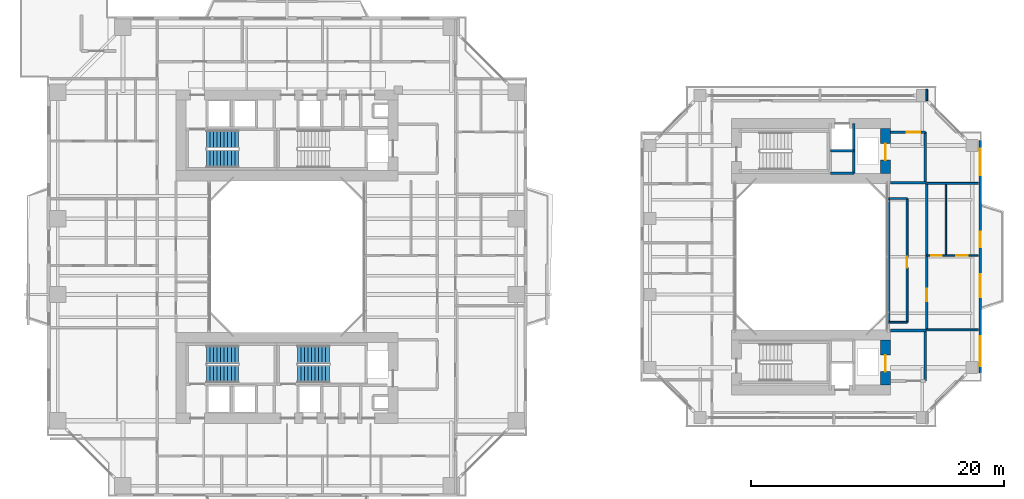
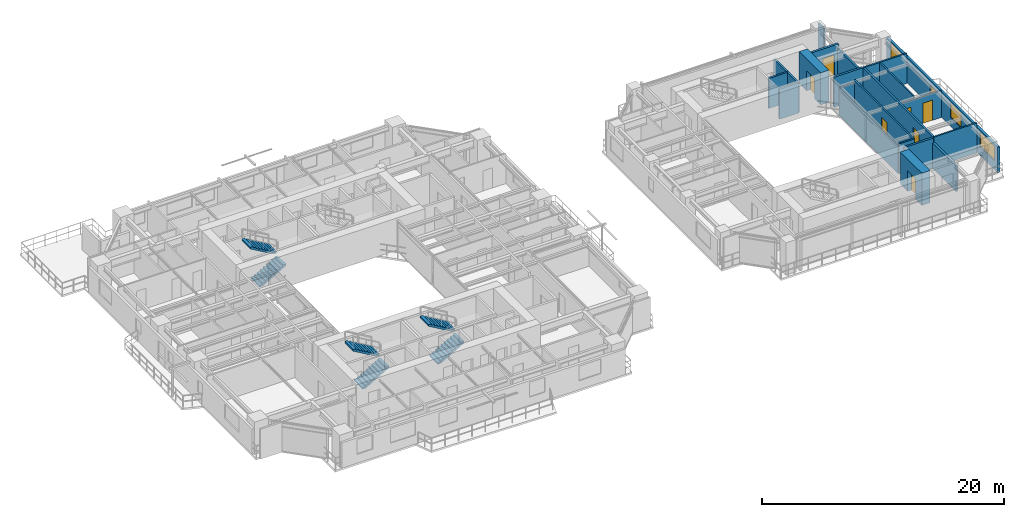
# One storey, part 18 of 24: 21 walls, 8 doors, 6 stair flights, 3 windows, 11 openings, 3 elements without a shape of their own.
"""IFC4 building model written with IfcOpenShell, lengths in metres."""

from ifc_helpers import new_model, si_unit, direction, frame, frame_2d, origin, place, context, subcontext, project, spatial, polyline, rectangle, outline, extrude, source, transform, mapped, material, layer, layer_set, type_object, element, fill, aggregate, save


model = new_model("IFC4")

# Units and contexts
model_context = context("Model", 3, precision=1e-05, world=origin(), true_north=direction((0.0, 1.0)))
body_context = subcontext(model_context, "Body", "Model", "MODEL_VIEW")
ifc_project = project(units=[si_unit("LENGTHUNIT", "METRE"), si_unit("AREAUNIT", "SQUARE_METRE"), si_unit("VOLUMEUNIT", "CUBIC_METRE"), si_unit("PLANEANGLEUNIT", "RADIAN"), si_unit("MASSUNIT", "GRAM", prefix="KILO"), si_unit("THERMODYNAMICTEMPERATUREUNIT", "KELVIN"), si_unit("POWERUNIT", "WATT")], contexts=[model_context])

# Site, building, storey
site_placement = place(None, origin())
site = spatial("IfcSite", under=ifc_project, at=site_placement, CompositionType="ELEMENT")
building_placement = place(site_placement, origin())
building = spatial("IfcBuilding", under=site, at=building_placement, Name="Qiaomeng Ring Towers", CompositionType="ELEMENT")
storey_placement = place(building_placement, frame((0.0, 0.0, 42.5)))
storey = spatial("IfcBuildingStorey", under=building, at=storey_placement, Name="L11", CompositionType="ELEMENT", Elevation=42.5)

# Wall, openings, windows, door
ifc_material_1 = material(Name="Precast concrete C40", Category="concrete")
ifc_layer_1 = layer(ifc_material_1, 0.219970703125, Name="Precast concrete C40")
ifc_layer_set_1 = layer_set([ifc_layer_1], Name="Precast concrete C40")
wall_type_1 = type_object("IfcWallType", Name="ARC-WL-EW2", PredefinedType="STANDARD", material=ifc_layer_set_1)
wall_1_placement = place(storey_placement, frame((73.889892578125, 13.800048828125, 0.0), z_axis=(0.0, 0.0, 1.0), x_axis=(0.0, 1.0, 0.0)))
wall_1 = element("IfcWall", 1, at=wall_1_placement, inside=storey, type_object=wall_type_1, Name="L11 Companion East Wall", PredefinedType="STANDARD", context=body_context, shape_type="SweptSolid", body=[
    extrude(rectangle(XDim=18.39990234375, YDim=0.219970703125, at=frame_2d((9.199951171875, 0.0))), origin(), (0.0, 0.0, 1.0), 2.570068359375),
])
opening_1_placement = place(wall_1_placement, frame((9.949951171875, 0.0, 0.0)))
opening_1 = element("IfcOpeningElement", 2, at=opening_1_placement, cuts=wall_1, Name="Opening BD1", PredefinedType="OPENING", context=body_context, shape_type="SweptSolid", body=[
    extrude(rectangle(XDim=1.199951171875, YDim=2.10009765625, at=frame_2d((0.60009765625, 1.050048828125))), frame((0.0, 0.119873046875, 0.0), z_axis=(0.0, -1.0, 0.0), x_axis=(1.0, 0.0, 0.0)), (0.0, 0.0, 1.0), 0.239990234375),
])
opening_2_placement = place(wall_1_placement, frame((0.507568359375, 0.0, 0.89990234375)))
opening_2 = element("IfcOpeningElement", 3, at=opening_2_placement, cuts=wall_1, Name="Opening WN6", PredefinedType="OPENING", context=body_context, shape_type="SweptSolid", body=[
    extrude(rectangle(XDim=2.39990234375, YDim=1.5, at=frame_2d((1.199951171875, 0.75))), frame((0.0, 0.119873046875, 0.0), z_axis=(0.0, -1.0, 0.0), x_axis=(1.0, 0.0, 0.0)), (0.0, 0.0, 1.0), 0.239990234375),
])
opening_3_placement = place(wall_1_placement, frame((6.0, 0.0, 0.89990234375)))
opening_3 = element("IfcOpeningElement", 4, at=opening_3_placement, cuts=wall_1, Name="Opening WN1", PredefinedType="OPENING", context=body_context, shape_type="SweptSolid", body=[
    extrude(rectangle(XDim=1.800048828125, YDim=1.449951171875, at=frame_2d((0.89990234375, 0.72509765625))), frame((0.0, 0.119873046875, 0.0), z_axis=(0.0, -1.0, 0.0), x_axis=(1.0, 0.0, 0.0)), (0.0, 0.0, 1.0), 0.239990234375),
])
opening_4_placement = place(wall_1_placement, frame((15.642578125, 0.0, 0.89990234375)))
opening_4 = element("IfcOpeningElement", 5, at=opening_4_placement, cuts=wall_1, Name="Opening WN4", PredefinedType="OPENING", context=body_context, shape_type="SweptSolid", body=[
    extrude(rectangle(XDim=2.10009765625, YDim=1.5, at=frame_2d((1.050048828125, 0.75))), frame((0.0, 0.119873046875, 0.0), z_axis=(0.0, -1.0, 0.0), x_axis=(1.0, 0.0, 0.0)), (0.0, 0.0, 1.0), 0.239990234375),
])
ifc_material_2 = material(Name="Low-E dark-grey laminated double glazing", Category="glass")
window_type_1 = type_object("IfcWindowType", Name="ARC-WN-4", PartitioningType="TRIPLE_PANEL_VERTICAL", PredefinedType="WINDOW", material=ifc_material_2)
shared_shape_1 = source(origin(), body_context, "Body", "SweptSolid", [
    extrude(rectangle(XDim=2.10009765625, YDim=1.5, at=frame_2d((1.050048828125, 0.75))), frame((0.0, 0.030029296875, 0.0), z_axis=(0.0, -1.0, 0.0), x_axis=(1.0, 0.0, 0.0)), (0.0, 0.0, 1.0), 0.06005859375),
])
window_1_placement = place(opening_4_placement, origin())
window_1 = element("IfcWindow", 6, at=window_1_placement, inside=storey, type_object=window_type_1, Name="L11 Exterior Window WN4", OverallHeight=1.5, OverallWidth=2.10009765625, PartitioningType="TRIPLE_PANEL_VERTICAL", PredefinedType="WINDOW", context=body_context, shape_type="MappedRepresentation", body=[
    mapped(shared_shape_1, transform((0.0, 0.0, 0.0), x_axis=(1.0, 0.0, 0.0), y_axis=(0.0, 1.0, 0.0), z_axis=(0.0, 0.0, 1.0), scale=1.0)),
])
fill(opening_4, window_1)
window_type_2 = type_object("IfcWindowType", Name="ARC-WN-1", PartitioningType="DOUBLE_PANEL_VERTICAL", PredefinedType="WINDOW", material=ifc_material_2)
shared_shape_2 = source(origin(), body_context, "Body", "SweptSolid", [
    extrude(rectangle(XDim=1.800048828125, YDim=1.449951171875, at=frame_2d((0.89990234375, 0.72509765625))), frame((0.0, 0.030029296875, 0.0), z_axis=(0.0, -1.0, 0.0), x_axis=(1.0, 0.0, 0.0)), (0.0, 0.0, 1.0), 0.06005859375),
])
window_2_placement = place(opening_3_placement, origin())
window_2 = element("IfcWindow", 7, at=window_2_placement, inside=storey, type_object=window_type_2, Name="L11 Exterior Window WN1", OverallHeight=1.449951171875, OverallWidth=1.800048828125, PartitioningType="DOUBLE_PANEL_VERTICAL", PredefinedType="WINDOW", context=body_context, shape_type="MappedRepresentation", body=[
    mapped(shared_shape_2, transform((0.0, 0.0, 0.0), x_axis=(1.0, 0.0, 0.0), y_axis=(0.0, 1.0, 0.0), z_axis=(0.0, 0.0, 1.0), scale=1.0)),
])
fill(opening_3, window_2)
door_type_1 = type_object("IfcDoorType", Name="ARC-DR-BD1", OperationType="NOTDEFINED", PredefinedType="DOOR", material=ifc_material_2)
shared_shape_3 = source(origin(), body_context, "Body", "SweptSolid", [
    extrude(rectangle(XDim=1.199951171875, YDim=2.10009765625, at=frame_2d((0.60009765625, 1.050048828125))), frame((0.0, 0.02490234375, 0.0), z_axis=(0.0, -1.0, 0.0), x_axis=(1.0, 0.0, 0.0)), (0.0, 0.0, 1.0), 0.050048828125),
])
door_1_placement = place(opening_1_placement, origin())
door_1 = element("IfcDoor", 8, at=door_1_placement, inside=storey, type_object=door_type_1, Name="L11 Companion East Balcony Door", OperationType="SINGLE_SWING_LEFT", OverallHeight=2.10009765625, OverallWidth=1.199951171875, PredefinedType="DOOR", context=body_context, shape_type="MappedRepresentation", body=[
    mapped(shared_shape_3, transform((0.0, 0.0, 0.0), x_axis=(1.0, 0.0, 0.0), y_axis=(0.0, 1.0, 0.0), z_axis=(0.0, 0.0, 1.0), scale=1.0)),
])
fill(opening_1, door_1)
window_type_3 = type_object("IfcWindowType", Name="ARC-WN-6", PartitioningType="TRIPLE_PANEL_VERTICAL", PredefinedType="WINDOW", material=ifc_material_2)
shared_shape_4 = source(origin(), body_context, "Body", "SweptSolid", [
    extrude(rectangle(XDim=2.39990234375, YDim=1.5, at=frame_2d((1.199951171875, 0.75))), frame((0.0, 0.030029296875, 0.0), z_axis=(0.0, -1.0, 0.0), x_axis=(1.0, 0.0, 0.0)), (0.0, 0.0, 1.0), 0.06005859375),
])
window_3_placement = place(opening_2_placement, origin())
window_3 = element("IfcWindow", 9, at=window_3_placement, inside=storey, type_object=window_type_3, Name="L11 Exterior Window WN6", OverallHeight=1.5, OverallWidth=2.39990234375, PartitioningType="TRIPLE_PANEL_VERTICAL", PredefinedType="WINDOW", context=body_context, shape_type="MappedRepresentation", body=[
    mapped(shared_shape_4, transform((0.0, 0.0, 0.0), x_axis=(1.0, 0.0, 0.0), y_axis=(0.0, 1.0, 0.0), z_axis=(0.0, 0.0, 1.0), scale=1.0)),
])
fill(opening_2, window_3)

# Walls
ifc_material_3 = material(Name="Autoclaved aerated concrete block", Category="concrete")
ifc_layer_2 = layer(ifc_material_3, 0.199951171875, Name="Autoclaved aerated concrete block")
ifc_layer_set_2 = layer_set([ifc_layer_2], Name="Autoclaved aerated concrete block")
wall_type_2 = type_object("IfcWallType", Name="ARC-WL-PW1", PredefinedType="PARTITIONING", material=ifc_layer_set_2)
wall_2_placement = place(storey_placement, frame((66.800048828125, 28.85009765625, 0.0), z_axis=(0.0, 0.0, 1.0), x_axis=(1.0, 0.0, 0.0)))
element("IfcWall", 10, at=wall_2_placement, inside=storey, type_object=wall_type_2, Name="L11 Interior Wall PW1", PredefinedType="PARTITIONING", context=body_context, shape_type="SweptSolid", body=[
    extrude(rectangle(XDim=2.75, YDim=0.199951171875, at=frame_2d((1.375, 0.0))), origin(), (0.0, 0.0, 1.0), 3.030029296875),
])
wall_3_placement = place(storey_placement, frame((69.550048828125, 28.85009765625, 0.0), z_axis=(0.0, 0.0, 1.0), x_axis=(0.0, 1.0, 0.0)))
element("IfcWall", 11, at=wall_3_placement, inside=storey, type_object=wall_type_2, Name="L11 Interior Wall PW1", PredefinedType="PARTITIONING", context=body_context, shape_type="SweptSolid", body=[
    extrude(rectangle(XDim=4.0, YDim=0.199951171875, at=frame_2d((2.0, 0.0))), origin(), (0.0, 0.0, 1.0), 2.574951171875),
])

# Wall, opening, door
wall_4_placement = place(storey_placement, frame((66.800048828125, 32.85009765625, 0.0), z_axis=(0.0, 0.0, 1.0), x_axis=(1.0, 0.0, 0.0)))
wall_4 = element("IfcWall", 12, at=wall_4_placement, inside=storey, type_object=wall_type_2, Name="L11 Interior Wall PW1", PredefinedType="PARTITIONING", context=body_context, shape_type="SweptSolid", body=[
    extrude(rectangle(XDim=2.75, YDim=0.199951171875, at=frame_2d((1.375, 0.0))), origin(), (0.0, 0.0, 1.0), 3.030029296875),
])
opening_5_placement = place(wall_4_placement, frame((1.25, 0.0, 0.0)))
opening_5 = element("IfcOpeningElement", 13, at=opening_5_placement, cuts=wall_4, Name="Opening FD3", PredefinedType="OPENING", context=body_context, shape_type="SweptSolid", body=[
    extrude(rectangle(XDim=1.10009765625, YDim=2.050048828125, at=frame_2d((0.550048828125, 1.02490234375))), frame((0.0, 0.10986328125, 0.0), z_axis=(0.0, -1.0, 0.0), x_axis=(1.0, 0.0, 0.0)), (0.0, 0.0, 1.0), 0.219970703125),
])
ifc_material_4 = material(Name="Galvanised steel", Category="steel")
door_type_2 = type_object("IfcDoorType", Name="ARC-DR-FD3", OperationType="NOTDEFINED", PredefinedType="DOOR", material=ifc_material_4)
shared_shape_5 = source(origin(), body_context, "Body", "SweptSolid", [
    extrude(rectangle(XDim=1.10009765625, YDim=2.050048828125, at=frame_2d((0.550048828125, 1.02490234375))), frame((0.0, 0.02490234375, 0.0), z_axis=(0.0, -1.0, 0.0), x_axis=(1.0, 0.0, 0.0)), (0.0, 0.0, 1.0), 0.050048828125),
])
door_2_placement = place(opening_5_placement, origin())
door_2 = element("IfcDoor", 14, at=door_2_placement, inside=storey, type_object=door_type_2, Name="L11 Door FD3", OperationType="SINGLE_SWING_RIGHT", OverallHeight=2.050048828125, OverallWidth=1.10009765625, PredefinedType="DOOR", context=body_context, shape_type="MappedRepresentation", body=[
    mapped(shared_shape_5, transform((0.0, 0.0, 0.0), x_axis=(1.0, 0.0, 0.0), y_axis=(0.0, 1.0, 0.0), z_axis=(0.0, 0.0, 1.0), scale=1.0)),
])
fill(opening_5, door_2)

# Walls
wall_5_placement = place(storey_placement, frame((66.800048828125, 17.14990234375, 0.0), z_axis=(0.0, 0.0, 1.0), x_axis=(1.0, 0.0, 0.0)))
element("IfcWall", 15, at=wall_5_placement, inside=storey, type_object=wall_type_2, Name="L11 Interior Wall PW1", PredefinedType="PARTITIONING", context=body_context, shape_type="SweptSolid", body=[
    extrude(rectangle(XDim=2.75, YDim=0.199951171875, at=frame_2d((1.375, 0.0))), origin(), (0.0, 0.0, 1.0), 3.030029296875),
])
wall_6_placement = place(storey_placement, frame((69.550048828125, 13.14990234375, 0.0), z_axis=(0.0, 0.0, 1.0), x_axis=(0.0, 1.0, 0.0)))
element("IfcWall", 16, at=wall_6_placement, inside=storey, type_object=wall_type_2, Name="L11 Interior Wall PW1", PredefinedType="PARTITIONING", context=body_context, shape_type="SweptSolid", body=[
    extrude(rectangle(XDim=4.0, YDim=0.199951171875, at=frame_2d((2.0, 0.0))), origin(), (0.0, 0.0, 1.0), 2.574951171875),
])

# Wall, opening, door
ifc_layer_3 = layer(ifc_material_3, 0.179931640625, Name="Autoclaved aerated concrete block")
ifc_layer_set_3 = layer_set([ifc_layer_3], Name="Autoclaved aerated concrete block")
wall_type_3 = type_object("IfcWallType", Name="ARC-WL-PW2", PredefinedType="PARTITIONING", material=ifc_layer_set_3)
wall_7_placement = place(storey_placement, frame((69.64990234375, 17.199951171875, 0.0), z_axis=(0.0, 0.0, 1.0), x_axis=(0.0, 1.0, 0.0)))
wall_7 = element("IfcWall", 17, at=wall_7_placement, inside=storey, type_object=wall_type_3, Name="L11 Interior Wall PW2", PredefinedType="PARTITIONING", context=body_context, shape_type="SweptSolid", body=[
    extrude(rectangle(XDim=11.60009765625, YDim=0.179931640625, at=frame_2d((5.800048828125, 0.0))), origin(), (0.0, 0.0, 1.0), 3.030029296875),
])
opening_6_placement = place(wall_7_placement, frame((2.260009765625, 0.0, 0.0)))
opening_6 = element("IfcOpeningElement", 18, at=opening_6_placement, cuts=wall_7, Name="Opening FD4", PredefinedType="OPENING", context=body_context, shape_type="SweptSolid", body=[
    extrude(rectangle(XDim=1.0, YDim=2.050048828125, at=frame_2d((0.5, 1.02490234375))), frame((0.0, 0.099853515625, 0.0), z_axis=(0.0, -1.0, 0.0), x_axis=(1.0, 0.0, 0.0)), (0.0, 0.0, 1.0), 0.199951171875),
])
ifc_material_5 = material(Name="Engineered fire-rated oak timber", Category="wood")
door_type_3 = type_object("IfcDoorType", Name="ARC-DR-FD4", OperationType="NOTDEFINED", PredefinedType="DOOR", material=ifc_material_5)
shared_shape_6 = source(origin(), body_context, "Body", "SweptSolid", [
    extrude(rectangle(XDim=1.0, YDim=2.050048828125, at=frame_2d((0.5, 1.02490234375))), frame((0.0, 0.02490234375, 0.0), z_axis=(0.0, -1.0, 0.0), x_axis=(1.0, 0.0, 0.0)), (0.0, 0.0, 1.0), 0.050048828125),
])
door_3_placement = place(opening_6_placement, origin())
door_3 = element("IfcDoor", 19, at=door_3_placement, inside=storey, type_object=door_type_3, Name="L11 Door FD4", OperationType="SINGLE_SWING_RIGHT", OverallHeight=2.050048828125, OverallWidth=1.0, PredefinedType="DOOR", context=body_context, shape_type="MappedRepresentation", body=[
    mapped(shared_shape_6, transform((0.0, 0.0, 0.0), x_axis=(1.0, 0.0, 0.0), y_axis=(0.0, 1.0, 0.0), z_axis=(0.0, 0.0, 1.0), scale=1.0)),
])
fill(opening_6, door_3)

# Walls
ifc_material_6 = material(Name="Gypsum fireboard steel-stud partition", Category="steel")
ifc_layer_4 = layer(ifc_material_6, 0.14990234375, Name="Gypsum fireboard steel-stud partition")
ifc_layer_set_4 = layer_set([ifc_layer_4], Name="Gypsum fireboard steel-stud partition")
wall_type_4 = type_object("IfcWallType", Name="ARC-WL-PW3", PredefinedType="PARTITIONING", material=ifc_layer_set_4)
for number, where, z_axis, x_axis, name in (
    (20, (69.64990234375, 17.199951171875, 0.0), (0.0, 0.0, 1.0), (1.0, 0.0, 0.0), "L11 Interior Wall PW3"),
    (21, (69.64990234375, 28.800048828125, 0.0), (0.0, 0.0, 1.0), (1.0, 0.0, 0.0), "L11 Interior Wall PW3"),
):
    element("IfcWall", number, at=place(storey_placement, frame(where, z_axis=z_axis, x_axis=x_axis)), inside=storey, type_object=wall_type_4, Name=name, PredefinedType="PARTITIONING", context=body_context, shape_type="SweptSolid", body=[
        extrude(rectangle(XDim=4.10009765625, YDim=0.14990234375, at=frame_2d((2.050048828125, 0.0))), origin(), (0.0, 0.0, 1.0), 3.030029296875),
    ])

# Wall, opening, door
wall_8_placement = place(storey_placement, frame((68.10009765625, 17.800048828125, 0.0), z_axis=(0.0, 0.0, 1.0), x_axis=(0.0, 1.0, 0.0)))
wall_8 = element("IfcWall", 22, at=wall_8_placement, inside=storey, type_object=wall_type_4, Name="L11 Interior Wall PW3", PredefinedType="PARTITIONING", context=body_context, shape_type="SweptSolid", body=[
    extrude(rectangle(XDim=9.800048828125, YDim=0.14990234375, at=frame_2d((4.89990234375, 0.0))), origin(), (0.0, 0.0, 1.0), 3.030029296875),
])
opening_7_placement = place(wall_8_placement, frame((4.300048828125, 0.0, 0.0)))
opening_7 = element("IfcOpeningElement", 23, at=opening_7_placement, cuts=wall_8, Name="Opening ID1", PredefinedType="OPENING", context=body_context, shape_type="SweptSolid", body=[
    extrude(rectangle(XDim=0.89990234375, YDim=2.050048828125, at=frame_2d((0.449951171875, 1.02490234375))), frame((0.0, 0.0849609375, 0.0), z_axis=(0.0, -1.0, 0.0), x_axis=(1.0, 0.0, 0.0)), (0.0, 0.0, 1.0), 0.169921875),
])
ifc_material_7 = material(Name="Engineered oak timber", Category="wood")
door_type_4 = type_object("IfcDoorType", Name="ARC-DR-ID1", OperationType="NOTDEFINED", PredefinedType="DOOR", material=ifc_material_7)
shared_shape_7 = source(origin(), body_context, "Body", "SweptSolid", [
    extrude(rectangle(XDim=0.89990234375, YDim=2.050048828125, at=frame_2d((0.449951171875, 1.02490234375))), frame((0.0, 0.02490234375, 0.0), z_axis=(0.0, -1.0, 0.0), x_axis=(1.0, 0.0, 0.0)), (0.0, 0.0, 1.0), 0.050048828125),
])
door_4_placement = place(opening_7_placement, origin())
door_4 = element("IfcDoor", 24, at=door_4_placement, inside=storey, type_object=door_type_4, Name="L11 Door ID1", OperationType="SINGLE_SWING_LEFT", OverallHeight=2.050048828125, OverallWidth=0.89990234375, PredefinedType="DOOR", context=body_context, shape_type="MappedRepresentation", body=[
    mapped(shared_shape_7, transform((0.0, 0.0, 0.0), x_axis=(1.0, 0.0, 0.0), y_axis=(0.0, 1.0, 0.0), z_axis=(0.0, 0.0, 1.0), scale=1.0)),
])
fill(opening_7, door_4)

# Walls
wall_9_placement = place(storey_placement, frame((66.64990234375, 27.60009765625, 0.0), z_axis=(0.0, 0.0, 1.0), x_axis=(1.0, 0.0, 0.0)))
element("IfcWall", 25, at=wall_9_placement, inside=storey, type_object=wall_type_4, Name="L11 Interior Wall PW3", PredefinedType="PARTITIONING", context=body_context, shape_type="SweptSolid", body=[
    extrude(rectangle(XDim=1.4501953125, YDim=0.14990234375, at=frame_2d((0.72509765625, 0.0))), origin(), (0.0, 0.0, 1.0), 2.73095703125),
])
wall_10_placement = place(storey_placement, frame((66.64990234375, 17.800048828125, 0.0), z_axis=(0.0, 0.0, 1.0), x_axis=(1.0, 0.0, 0.0)))
element("IfcWall", 26, at=wall_10_placement, inside=storey, type_object=wall_type_4, Name="L11 Interior Wall PW3", PredefinedType="PARTITIONING", context=body_context, shape_type="SweptSolid", body=[
    extrude(rectangle(XDim=1.4501953125, YDim=0.14990234375, at=frame_2d((0.72509765625, 0.0))), origin(), (0.0, 0.0, 1.0), 3.030029296875),
])
wall_11_placement = place(storey_placement, frame((66.64990234375, 17.800048828125, 0.0), z_axis=(0.0, 0.0, 1.0), x_axis=(0.0, 1.0, 0.0)))
element("IfcWall", 27, at=wall_11_placement, inside=storey, type_object=wall_type_4, Name="L11 Interior Wall PW3", PredefinedType="PARTITIONING", context=body_context, shape_type="SweptSolid", body=[
    extrude(rectangle(XDim=9.800048828125, YDim=0.14990234375, at=frame_2d((4.89990234375, 0.0))), origin(), (0.0, 0.0, 1.0), 2.625),
])
wall_12_placement = place(storey_placement, frame((69.64990234375, 35.35009765625, 0.0), z_axis=(0.0, 0.0, 1.0), x_axis=(0.0, 1.0, 0.0)))
element("IfcWall", 28, at=wall_12_placement, inside=storey, type_object=wall_type_4, Name="L11 Interior Wall PW3", PredefinedType="PARTITIONING", context=body_context, shape_type="SweptSolid", body=[
    extrude(rectangle(XDim=0.89990234375, YDim=0.14990234375, at=frame_2d((0.449951171875, 0.0))), origin(), (0.0, 0.0, 1.0), 3.030029296875),
])

# Wall, openings, doors
ifc_material_8 = material(Name="Moisture-resistant gypsum steel-stud partition", Category="steel")
ifc_layer_5 = layer(ifc_material_8, 0.1201171875, Name="Moisture-resistant gypsum steel-stud partition")
ifc_layer_set_5 = layer_set([ifc_layer_5], Name="Moisture-resistant gypsum steel-stud partition")
wall_type_5 = type_object("IfcWallType", Name="ARC-WL-PW4", PredefinedType="PLUMBINGWALL", material=ifc_layer_set_5)
wall_13_placement = place(storey_placement, frame((69.64990234375, 23.10009765625, 0.0), z_axis=(0.0, 0.0, 1.0), x_axis=(1.0, 0.0, 0.0)))
wall_13 = element("IfcWall", 29, at=wall_13_placement, inside=storey, type_object=wall_type_5, Name="L11 Interior Wall PW4", PredefinedType="PLUMBINGWALL", context=body_context, shape_type="SweptSolid", body=[
    extrude(rectangle(XDim=4.10009765625, YDim=0.1201171875, at=frame_2d((2.050048828125, 0.0))), origin(), (0.0, 0.0, 1.0), 2.73095703125),
])
opening_8_placement = place(wall_13_placement, frame((0.344970703125, 0.0, 0.0)))
opening_8 = element("IfcOpeningElement", 30, at=opening_8_placement, cuts=wall_13, Name="Opening ID2", PredefinedType="OPENING", context=body_context, shape_type="SweptSolid", body=[
    extrude(rectangle(XDim=0.85009765625, YDim=2.050048828125, at=frame_2d((0.425048828125, 1.02490234375))), frame((0.0, 0.070068359375, 0.0), z_axis=(0.0, -1.0, 0.0), x_axis=(1.0, 0.0, 0.0)), (0.0, 0.0, 1.0), 0.14013671875),
])
opening_9_placement = place(wall_13_placement, frame((2.35009765625, 0.0, 0.0)))
opening_9 = element("IfcOpeningElement", 31, at=opening_9_placement, cuts=wall_13, Name="Opening ID1", PredefinedType="OPENING", context=body_context, shape_type="SweptSolid", body=[
    extrude(rectangle(XDim=0.89990234375, YDim=2.050048828125, at=frame_2d((0.449951171875, 1.02490234375))), frame((0.0, 0.070068359375, 0.0), z_axis=(0.0, -1.0, 0.0), x_axis=(1.0, 0.0, 0.0)), (0.0, 0.0, 1.0), 0.14013671875),
])
ifc_material_9 = material(Name="Moisture-resistant engineered timber", Category="wood")
door_type_5 = type_object("IfcDoorType", Name="ARC-DR-ID2", OperationType="NOTDEFINED", PredefinedType="DOOR", material=ifc_material_9)
shared_shape_8 = source(origin(), body_context, "Body", "SweptSolid", [
    extrude(rectangle(XDim=0.85009765625, YDim=2.050048828125, at=frame_2d((0.425048828125, 1.02490234375))), frame((0.0, 0.02490234375, 0.0), z_axis=(0.0, -1.0, 0.0), x_axis=(1.0, 0.0, 0.0)), (0.0, 0.0, 1.0), 0.050048828125),
])
door_5_placement = place(opening_8_placement, origin())
door_5 = element("IfcDoor", 32, at=door_5_placement, inside=storey, type_object=door_type_5, Name="L11 Door ID2", OperationType="SINGLE_SWING_RIGHT", OverallHeight=2.050048828125, OverallWidth=0.85009765625, PredefinedType="DOOR", context=body_context, shape_type="MappedRepresentation", body=[
    mapped(shared_shape_8, transform((0.0, 0.0, 0.0), x_axis=(1.0, 0.0, 0.0), y_axis=(0.0, 1.0, 0.0), z_axis=(0.0, 0.0, 1.0), scale=1.0)),
])
fill(opening_8, door_5)
door_6_placement = place(opening_9_placement, origin())
door_6 = element("IfcDoor", 33, at=door_6_placement, inside=storey, type_object=door_type_4, Name="L11 Door ID1", OperationType="SINGLE_SWING_LEFT", OverallHeight=2.050048828125, OverallWidth=0.89990234375, PredefinedType="DOOR", context=body_context, shape_type="MappedRepresentation", body=[
    mapped(shared_shape_7, transform((0.0, 0.0, 0.0), x_axis=(1.0, 0.0, 0.0), y_axis=(0.0, 1.0, 0.0), z_axis=(0.0, 0.0, 1.0), scale=1.0)),
])
fill(opening_9, door_6)

# Walls
wall_14_placement = place(storey_placement, frame((71.169921875, 23.10009765625, 0.0), z_axis=(0.0, 0.0, 1.0), x_axis=(0.0, 1.0, 0.0)))
element("IfcWall", 34, at=wall_14_placement, inside=storey, type_object=wall_type_5, Name="L11 Interior Wall PW4", PredefinedType="PLUMBINGWALL", context=body_context, shape_type="SweptSolid", body=[
    extrude(rectangle(XDim=5.699951171875, YDim=0.1201171875, at=frame_2d((2.85009765625, 0.0))), origin(), (0.0, 0.0, 1.0), 3.030029296875),
])
ifc_material_10 = material(Name="Concrete C40", Category="concrete")
ifc_layer_6 = layer(ifc_material_10, 0.199951171875, Name="Concrete C40")
ifc_layer_set_6 = layer_set([ifc_layer_6], Name="Concrete C40")
wall_type_6 = type_object("IfcWallType", Name="STR-WL-STSHAFT", PredefinedType="SHEAR", material=ifc_layer_set_6)
wall_15_placement = place(storey_placement, frame((63.8798828125, 29.60009765625, 0.0), z_axis=(0.0, 0.0, 1.0), x_axis=(0.0, 1.0, 0.0)))
element("IfcWall", 35, at=wall_15_placement, inside=storey, type_object=wall_type_6, Name="L11 Companion Lift Shaft East Wall N", PredefinedType="SHEAR", context=body_context, shape_type="SweptSolid", body=[
    extrude(rectangle(XDim=3.949951171875, YDim=0.179931640625, at=frame_2d((1.97509765625, 0.0))), origin(), (0.0, 0.0, 1.0), 3.030029296875),
])
for number, where, z_axis, x_axis, name in (
    (36, (62.02001953125, 31.3798828125, 0.0), (0.0, 0.0, 1.0), (1.0, 0.0, 0.0), "L11 Companion Lift Shaft Divider Wall N"),
    (37, (62.02001953125, 29.60009765625, 0.0), (0.0, 0.0, 1.0), (1.0, 0.0, 0.0), "L11 Companion Riser Shaft Back Wall N"),
):
    element("IfcWall", number, at=place(storey_placement, frame(where, z_axis=z_axis, x_axis=x_axis)), inside=storey, type_object=wall_type_6, Name=name, PredefinedType="SHEAR", context=body_context, shape_type="SweptSolid", body=[
        extrude(rectangle(XDim=1.85986328125, YDim=0.179931640625, at=frame_2d((0.929931640625, 0.0))), origin(), (0.0, 0.0, 1.0), 3.030029296875),
    ])

# Wall, opening, door
ifc_material_11 = material(Name="Concrete C60", Category="concrete")
ifc_layer_7 = layer(ifc_material_11, 0.800048828125, Name="Concrete C60")
ifc_layer_set_7 = layer_set([ifc_layer_7], Name="Concrete C60")
wall_type_7 = type_object("IfcWallType", Name="STR-WL-SW1", PredefinedType="SHEAR", material=ifc_layer_set_7)
wall_16_placement = place(storey_placement, frame((66.39990234375, 29.60009765625, 0.0), z_axis=(0.0, 0.0, 1.0), x_axis=(0.0, 1.0, 0.0)))
wall_16 = element("IfcWall", 38, at=wall_16_placement, inside=storey, type_object=wall_type_7, Name="L11 T2NC east core shear wall", PredefinedType="SHEAR", context=body_context, shape_type="SweptSolid", body=[
    extrude(rectangle(XDim=3.5498046875, YDim=0.800048828125, at=frame_2d((1.77490234375, 0.0))), origin(), (0.0, 0.0, 1.0), 3.25),
])
opening_10_placement = place(wall_16_placement, frame((1.050048828125, 0.0, 0.0)))
opening_10 = element("IfcOpeningElement", 39, at=opening_10_placement, cuts=wall_16, Name="Opening LD2", PredefinedType="OPENING", context=body_context, shape_type="SweptSolid", body=[
    extrude(rectangle(XDim=1.300048828125, YDim=2.050048828125, at=frame_2d((0.64990234375, 1.02490234375))), frame((0.0, 0.409912109375, 0.0), z_axis=(0.0, -1.0, 0.0), x_axis=(1.0, 0.0, 0.0)), (0.0, 0.0, 1.0), 0.820068359375),
])
ifc_material_12 = material(Name="Stainless steel 316", Category="steel")
door_type_6 = type_object("IfcDoorType", Name="ARC-DR-LD2", OperationType="NOTDEFINED", PredefinedType="DOOR", material=ifc_material_12)
shared_shape_9 = source(origin(), body_context, "Body", "SweptSolid", [
    extrude(rectangle(XDim=1.300048828125, YDim=2.050048828125, at=frame_2d((0.64990234375, 1.02490234375))), frame((0.0, 0.02490234375, 0.0), z_axis=(0.0, -1.0, 0.0), x_axis=(1.0, 0.0, 0.0)), (0.0, 0.0, 1.0), 0.050048828125),
])
door_7_placement = place(opening_10_placement, origin())
door_7 = element("IfcDoor", 40, at=door_7_placement, inside=storey, type_object=door_type_6, Name="L11 Firefighting Lift FL3 Landing Door", OperationType="SLIDING_TO_LEFT", OverallHeight=2.050048828125, OverallWidth=1.300048828125, PredefinedType="DOOR", context=body_context, shape_type="MappedRepresentation", body=[
    mapped(shared_shape_9, transform((0.0, 0.0, 0.0), x_axis=(1.0, 0.0, 0.0), y_axis=(0.0, 1.0, 0.0), z_axis=(0.0, 0.0, 1.0), scale=1.0)),
])
fill(opening_10, door_7)

wall_17_placement = place(storey_placement, frame((66.39990234375, 12.85009765625, 0.0), z_axis=(0.0, 0.0, 1.0), x_axis=(0.0, 1.0, 0.0)))
wall_17 = element("IfcWall", 41, at=wall_17_placement, inside=storey, type_object=wall_type_7, Name="L11 T2SC east core shear wall", PredefinedType="SHEAR", context=body_context, shape_type="SweptSolid", body=[
    extrude(rectangle(XDim=3.5498046875, YDim=0.800048828125, at=frame_2d((1.77490234375, 0.0))), origin(), (0.0, 0.0, 1.0), 3.25),
])
opening_11_placement = place(wall_17_placement, frame((1.050048828125, 0.0, 0.0)))
opening_11 = element("IfcOpeningElement", 42, at=opening_11_placement, cuts=wall_17, Name="Opening LD2", PredefinedType="OPENING", context=body_context, shape_type="SweptSolid", body=[
    extrude(rectangle(XDim=1.300048828125, YDim=2.050048828125, at=frame_2d((0.64990234375, 1.02490234375))), frame((0.0, 0.409912109375, 0.0), z_axis=(0.0, -1.0, 0.0), x_axis=(1.0, 0.0, 0.0)), (0.0, 0.0, 1.0), 0.820068359375),
])
door_8_placement = place(opening_11_placement, origin())
door_8 = element("IfcDoor", 43, at=door_8_placement, inside=storey, type_object=door_type_6, Name="L11 Firefighting Lift FL4 Landing Door", OperationType="SLIDING_TO_RIGHT", OverallHeight=2.050048828125, OverallWidth=1.300048828125, PredefinedType="DOOR", context=body_context, shape_type="MappedRepresentation", body=[
    mapped(shared_shape_9, transform((0.0, 0.0, 0.0), x_axis=(1.0, 0.0, 0.0), y_axis=(0.0, 1.0, 0.0), z_axis=(0.0, 0.0, 1.0), scale=1.0)),
])
fill(opening_11, door_8)

# Stair, stair flights
stair_type = type_object("IfcStairType", Name="ARC-ST-325", PredefinedType="HALF_TURN_STAIR", material=ifc_material_1)
stair_1_placement = place(storey_placement, origin())
stair_1 = element("IfcStair", 44, at=stair_1_placement, inside=storey, type_object=stair_type, Name="L11 Tower 1 North Stair 1", PredefinedType="HALF_TURN_STAIR")
stair_flight_type = type_object("IfcStairFlightType", Name="ARC-ST-325-FL", PredefinedType="STRAIGHT", material=ifc_material_1)
shared_shape_10 = source(origin(), body_context, "Body", "SweptSolid", [
    extrude(outline(polyline([(0.0, 0.0), (0.0, 0.16259765625), (0.280029296875, 0.16259765625), (0.280029296875, 0.324951171875), (0.56005859375, 0.324951171875), (0.56005859375, 0.487548828125), (0.840087890625, 0.487548828125), (0.840087890625, 0.64990234375), (1.1201171875, 0.64990234375), (1.1201171875, 0.8125), (1.39990234375, 0.8125), (1.39990234375, 0.97509765625), (1.679931640625, 0.97509765625), (1.679931640625, 1.137451171875), (1.9599609375, 1.137451171875), (1.9599609375, 1.300048828125), (2.239990234375, 1.300048828125), (2.239990234375, 1.46240234375), (2.52001953125, 1.46240234375), (2.52001953125, 1.625), (2.52001953125, 1.2890625), (0.298583984375, 0.0), (0.0, 0.0)])), frame((0.0, 0.699951171875, 0.0), z_axis=(0.0, -1.0, 0.0), x_axis=(1.0, 0.0, 0.0)), (0.0, 0.0, 1.0), 1.39990234375),
])
stair_flight_1_placement = place(storey_placement, frame((12.6201171875, 30.75, 0.0), z_axis=(0.0, 0.0, 1.0), x_axis=(1.0, 0.0, 0.0)))
stair_flight_1 = element("IfcStairFlight", 45, at=stair_flight_1_placement, type_object=stair_flight_type, Name="ST1 flight 1", NumberOfRisers=10, NumberOfTreads=9, PredefinedType="STRAIGHT", RiserHeight=0.1625, TreadLength=0.28, context=body_context, shape_type="MappedRepresentation", body=[
    mapped(shared_shape_10, transform((0.0, 0.0, 0.0), x_axis=(1.0, 0.0, 0.0), y_axis=(0.0, 1.0, 0.0), z_axis=(0.0, 0.0, 1.0), scale=1.0)),
])
stair_flight_2_placement = place(storey_placement, frame((15.139892578125, 32.2900390625, 1.625), z_axis=(0.0, 0.0, 1.0), x_axis=(-1.0, 0.0, 0.0)))
stair_flight_2 = element("IfcStairFlight", 46, at=stair_flight_2_placement, type_object=stair_flight_type, Name="ST1 flight 2", NumberOfRisers=10, NumberOfTreads=9, PredefinedType="STRAIGHT", RiserHeight=0.1625, TreadLength=0.28, context=body_context, shape_type="MappedRepresentation", body=[
    mapped(shared_shape_10, transform((0.0, 0.0, 0.0), x_axis=(1.0, 0.0, 0.0), y_axis=(0.0, 1.0, 0.0), z_axis=(0.0, 0.0, 1.0), scale=1.0)),
])
aggregate(stair_1, [stair_flight_1, stair_flight_2])

stair_2_placement = place(storey_placement, origin())
stair_2 = element("IfcStair", 47, at=stair_2_placement, inside=storey, type_object=stair_type, Name="L11 Tower 1 South Stair 3", PredefinedType="HALF_TURN_STAIR")
stair_flight_3_placement = place(storey_placement, frame((12.6201171875, 13.7099609375, 0.0), z_axis=(0.0, 0.0, 1.0), x_axis=(1.0, 0.0, 0.0)))
stair_flight_3 = element("IfcStairFlight", 48, at=stair_flight_3_placement, type_object=stair_flight_type, Name="ST3 flight 1", NumberOfRisers=10, NumberOfTreads=9, PredefinedType="STRAIGHT", RiserHeight=0.1625, TreadLength=0.28, context=body_context, shape_type="MappedRepresentation", body=[
    mapped(shared_shape_10, transform((0.0, 0.0, 0.0), x_axis=(1.0, 0.0, 0.0), y_axis=(0.0, 1.0, 0.0), z_axis=(0.0, 0.0, 1.0), scale=1.0)),
])
stair_flight_4_placement = place(storey_placement, frame((15.139892578125, 15.25, 1.625), z_axis=(0.0, 0.0, 1.0), x_axis=(-1.0, 0.0, 0.0)))
stair_flight_4 = element("IfcStairFlight", 49, at=stair_flight_4_placement, type_object=stair_flight_type, Name="ST3 flight 2", NumberOfRisers=10, NumberOfTreads=9, PredefinedType="STRAIGHT", RiserHeight=0.1625, TreadLength=0.28, context=body_context, shape_type="MappedRepresentation", body=[
    mapped(shared_shape_10, transform((0.0, 0.0, 0.0), x_axis=(1.0, 0.0, 0.0), y_axis=(0.0, 1.0, 0.0), z_axis=(0.0, 0.0, 1.0), scale=1.0)),
])
aggregate(stair_2, [stair_flight_3, stair_flight_4])

stair_3_placement = place(storey_placement, origin())
stair_3 = element("IfcStair", 50, at=stair_3_placement, inside=storey, type_object=stair_type, Name="L11 Tower 1 South Stair 4", PredefinedType="HALF_TURN_STAIR")
stair_flight_5_placement = place(storey_placement, frame((19.820068359375, 13.7099609375, 0.0), z_axis=(0.0, 0.0, 1.0), x_axis=(1.0, 0.0, 0.0)))
stair_flight_5 = element("IfcStairFlight", 51, at=stair_flight_5_placement, type_object=stair_flight_type, Name="ST4 flight 1", NumberOfRisers=10, NumberOfTreads=9, PredefinedType="STRAIGHT", RiserHeight=0.1625, TreadLength=0.28, context=body_context, shape_type="MappedRepresentation", body=[
    mapped(shared_shape_10, transform((0.0, 0.0, 0.0), x_axis=(1.0, 0.0, 0.0), y_axis=(0.0, 1.0, 0.0), z_axis=(0.0, 0.0, 1.0), scale=1.0)),
])
stair_flight_6_placement = place(storey_placement, frame((22.340087890625, 15.25, 1.625), z_axis=(0.0, 0.0, 1.0), x_axis=(-1.0, 0.0, 0.0)))
stair_flight_6 = element("IfcStairFlight", 52, at=stair_flight_6_placement, type_object=stair_flight_type, Name="ST4 flight 2", NumberOfRisers=10, NumberOfTreads=9, PredefinedType="STRAIGHT", RiserHeight=0.1625, TreadLength=0.28, context=body_context, shape_type="MappedRepresentation", body=[
    mapped(shared_shape_10, transform((0.0, 0.0, 0.0), x_axis=(1.0, 0.0, 0.0), y_axis=(0.0, 1.0, 0.0), z_axis=(0.0, 0.0, 1.0), scale=1.0)),
])
aggregate(stair_3, [stair_flight_5, stair_flight_6])

save(model, "model.ifc")
